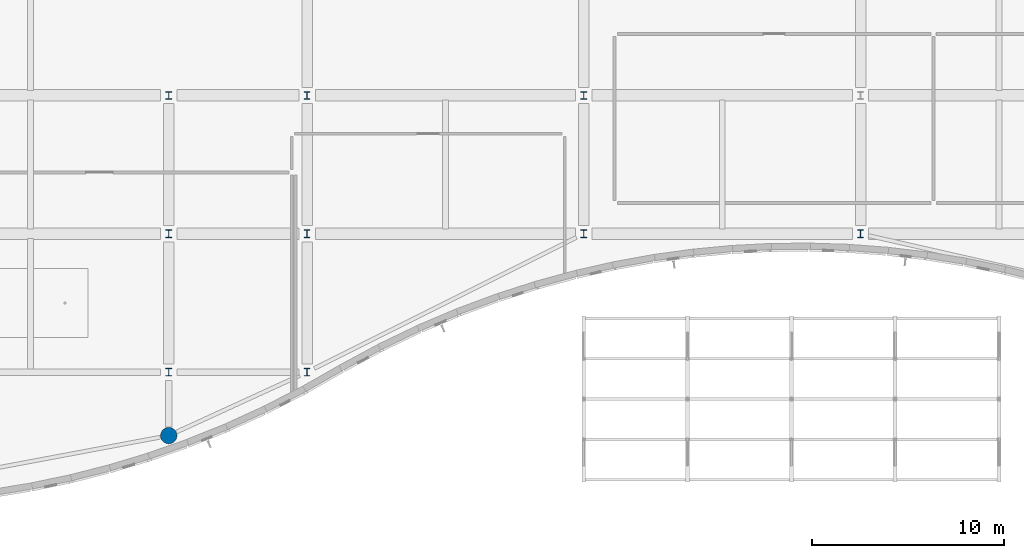
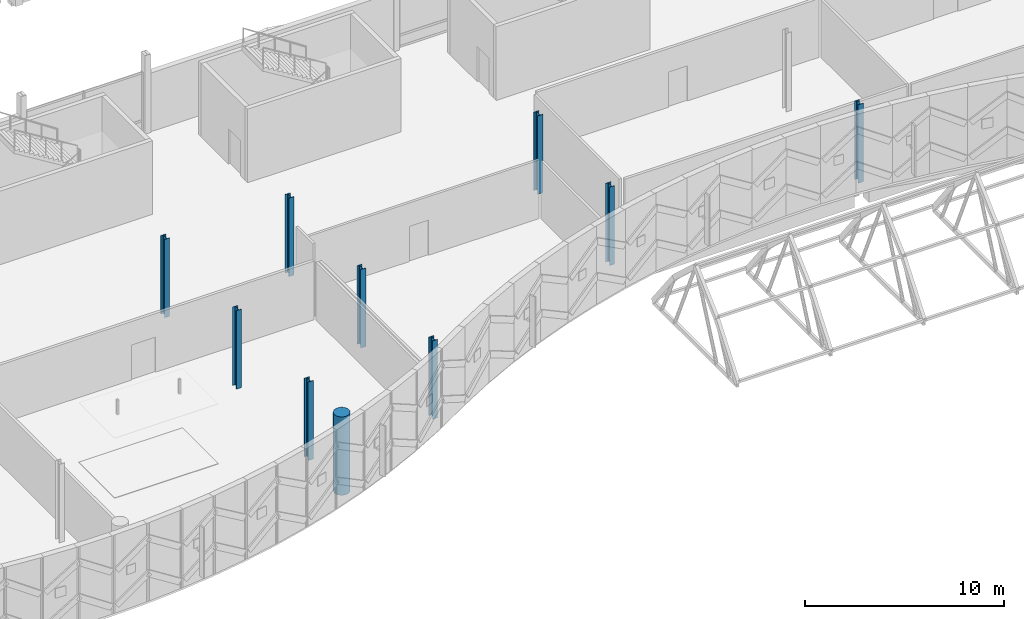
# One storey, part 5 of 220: 10 columns.
"""IFC4 building model written with IfcOpenShell, lengths in metres."""

from ifc_helpers import new_model, si_unit, direction, frame, origin, origin_2d, place, context, subcontext, project, spatial, circle, i_section, extrude, material, material_profile, profile_set, type_object, element, save


model = new_model("IFC4")

# Units and contexts
model_context = context("Model", 3, precision=1e-05, world=origin(), true_north=direction((0.0, 1.0)))
body_context = subcontext(model_context, "Body", "Model", "MODEL_VIEW")
ifc_project = project(units=[si_unit("LENGTHUNIT", "METRE"), si_unit("AREAUNIT", "SQUARE_METRE"), si_unit("VOLUMEUNIT", "CUBIC_METRE"), si_unit("PLANEANGLEUNIT", "RADIAN"), si_unit("MASSUNIT", "GRAM", prefix="KILO")], contexts=[model_context])

# Site, building, storey
site_placement = place(None, origin())
site = spatial("IfcSite", under=ifc_project, at=site_placement, CompositionType="ELEMENT")
building_placement = place(site_placement, origin())
building = spatial("IfcBuilding", under=site, at=building_placement, Name="Cendralis Lancet Convention Centre", CompositionType="ELEMENT")
storey_placement = place(building_placement, frame((0.0, 0.0, 5.39990234375)))
storey = spatial("IfcBuildingStorey", under=building, at=storey_placement, Name="L01", CompositionType="ELEMENT", Elevation=5.39990234375)

# Columns
ifc_material_1 = material(Name="Concrete G40 (C40/50)", Category="concrete")
ifc_material_profile_1 = material_profile(ifc_material_1, circle(Radius=0.425048828125, at=origin_2d()), Name="RC D850")
ifc_profile_set_1 = profile_set([ifc_material_profile_1], Name="Concrete G40 (C40/50)")
column_type_1 = type_object("IfcColumnType", Name="STR-COL-C17", PredefinedType="COLUMN", material=ifc_profile_set_1)
column_placement = place(storey_placement, frame((72.0, 3.89794921875, 0.0), z_axis=(0.0, 0.0, 1.0), x_axis=(1.0, 0.0, 0.0)))
element("IfcColumn", 1, at=column_placement, inside=storey, type_object=column_type_1, Name="L01 Column C17 at 72.0,3.9", PredefinedType="COLUMN", context=body_context, shape_type="SweptSolid", body=[
    extrude(circle(Radius=0.425048828125, at=origin_2d()), origin(), (0.0, 0.0, 1.0), 4.800048828125),
])
ifc_material_2 = material(Name="Steel S355", Category="steel")
ifc_material_profile_2 = material_profile(ifc_material_2, i_section(OverallWidth=0.300048828125, OverallDepth=0.39990234375, WebThickness=0.013427734375, FlangeThickness=0.02392578125, FilletRadius=0.027099609375, at=origin_2d()), Name="HEB 400")
ifc_profile_set_2 = profile_set([ifc_material_profile_2], Name="Steel S355")
column_type_2 = type_object("IfcColumnType", Name="STR-COL-C25-INT", PredefinedType="COLUMN", material=ifc_profile_set_2)
for number, where, z_axis, x_axis, name in (
    (2, (72.0, 7.199951171875, 0.0), (0.0, 0.0, 1.0), (1.0, 0.0, 0.0), "L01 Column C25 at 72.0,7.2"),
    (3, (72.0, 14.39990234375, 0.0), (0.0, 0.0, 1.0), (1.0, 0.0, 0.0), "L01 Column C25 at 72.0,14.4"),
    (4, (72.0, 21.60009765625, 0.0), (0.0, 0.0, 1.0), (1.0, 0.0, 0.0), "L01 Column C25 at 72.0,21.6"),
    (5, (79.199951171875, 7.199951171875, 0.0), (0.0, 0.0, 1.0), (1.0, 0.0, 0.0), "L01 Column C25 at 79.2,7.2"),
    (6, (79.199951171875, 14.39990234375, 0.0), (0.0, 0.0, 1.0), (1.0, 0.0, 0.0), "L01 Column C25 at 79.2,14.4"),
    (7, (79.199951171875, 21.60009765625, 0.0), (0.0, 0.0, 1.0), (1.0, 0.0, 0.0), "L01 Column C25 at 79.2,21.6"),
    (8, (93.60009765625, 14.39990234375, 0.0), (0.0, 0.0, 1.0), (1.0, 0.0, 0.0), "L01 Column C25 at 93.6,14.4"),
    (9, (93.60009765625, 21.60009765625, 0.0), (0.0, 0.0, 1.0), (1.0, 0.0, 0.0), "L01 Column C25 at 93.6,21.6"),
    (10, (108.0, 14.39990234375, 0.0), (0.0, 0.0, 1.0), (1.0, 0.0, 0.0), "L01 Column C25 at 108.0,14.4"),
):
    element("IfcColumn", number, at=place(storey_placement, frame(where, z_axis=z_axis, x_axis=x_axis)), inside=storey, type_object=column_type_2, Name=name, PredefinedType="COLUMN", context=body_context, shape_type="SweptSolid", body=[
        extrude(i_section(OverallWidth=0.300048828125, OverallDepth=0.39990234375, WebThickness=0.013427734375, FlangeThickness=0.02392578125, FilletRadius=0.027099609375, at=origin_2d()), origin(), (0.0, 0.0, 1.0), 4.800048828125),
    ])

save(model, "model.ifc")
